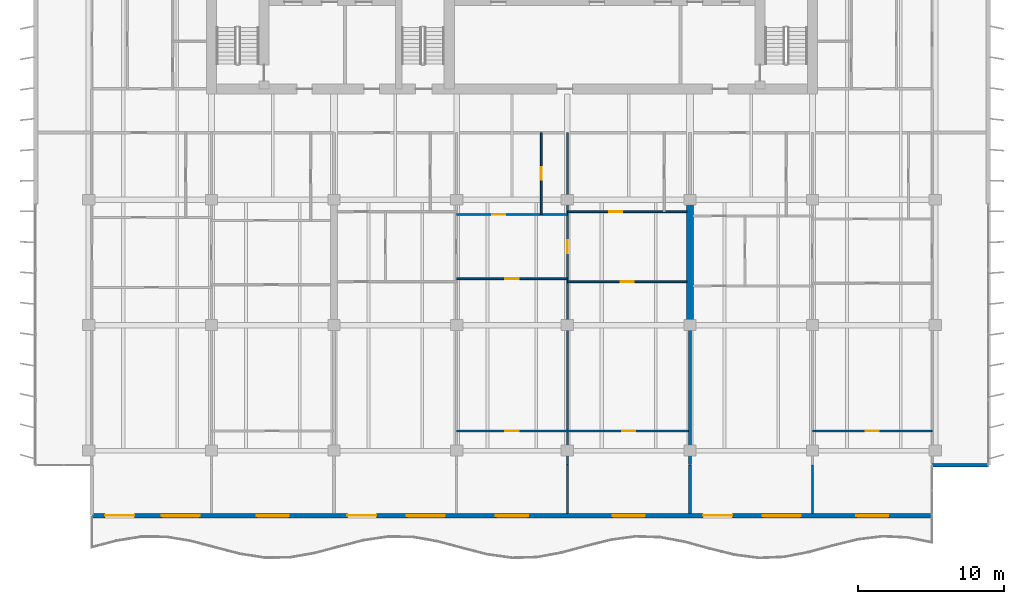
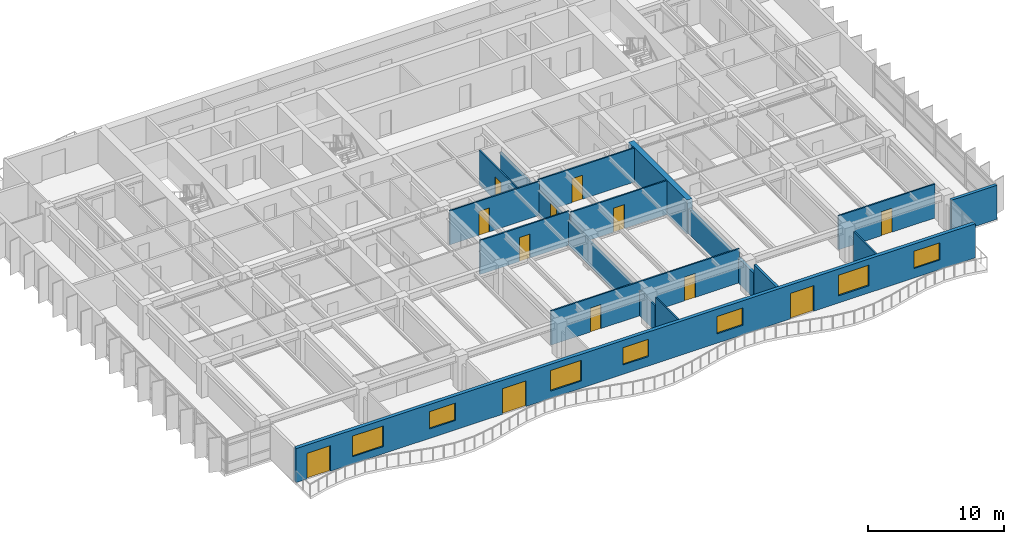
# One storey, part 9 of 17: 15 walls, 12 doors, 7 windows, 19 openings.
"""IFC4 building model written with IfcOpenShell, lengths in metres."""

from ifc_helpers import new_model, si_unit, direction, frame, frame_2d, origin, place, context, subcontext, project, spatial, rectangle, extrude, material, layer, layer_set, type_object, element, fill, save


model = new_model("IFC4")

# Units and contexts
model_context = context("Model", 3, precision=1e-05, world=origin(), true_north=direction((0.0, 1.0)))
body_context = subcontext(model_context, "Body", "Model", "MODEL_VIEW")
ifc_project = project(units=[si_unit("LENGTHUNIT", "METRE"), si_unit("AREAUNIT", "SQUARE_METRE"), si_unit("VOLUMEUNIT", "CUBIC_METRE"), si_unit("PLANEANGLEUNIT", "RADIAN"), si_unit("MASSUNIT", "GRAM", prefix="KILO")], contexts=[model_context])

# Site, building, storey
site_placement = place(None, origin())
site = spatial("IfcSite", under=ifc_project, at=site_placement, CompositionType="ELEMENT")
building_placement = place(site_placement, origin())
building = spatial("IfcBuilding", under=site, at=building_placement, Name="Caelmar Bay Residences", CompositionType="ELEMENT")
storey_placement = place(building_placement, frame((0.0, 0.0, 208.199951171875)))
storey = spatial("IfcBuildingStorey", under=building, at=storey_placement, Name="L58", CompositionType="ELEMENT", Elevation=208.199951171875)

# Walls
ifc_material_1 = material(Name="Concrete f'c 55 MPa (8,000 psi)", Category="concrete")
ifc_layer_1 = layer(ifc_material_1, 0.449951171875)
ifc_layer_set_1 = layer_set([ifc_layer_1], Name="Concrete f'c 55 MPa (8,000 psi)")
wall_type_1 = type_object("IfcWallType", Name="SW-XSLB-450", PredefinedType="SHEAR", material=ifc_layer_set_1)
wall_1_placement = place(storey_placement, frame((51.10009765625, 20.800048828125, 0.0), z_axis=(0.0, 0.0, 1.0), x_axis=(0.0, 1.0, 0.0)))
element("IfcWall", 1, at=wall_1_placement, inside=storey, type_object=wall_type_1, Name="L58 Transverse Cross-Slab Shear Wall E8", PredefinedType="SHEAR", context=body_context, shape_type="SweptSolid", body=[
    extrude(rectangle(XDim=8.599853515625, YDim=0.449951171875, at=frame_2d((4.2998046875, 0.0))), origin(), (0.0, 0.0, 1.0), 3.050048828125),
])
ifc_material_2 = material(Name="Precast concrete f'c 40 MPa (6,000 psi)", Category="concrete")
ifc_layer_2 = layer(ifc_material_2, 0.25)
ifc_layer_set_2 = layer_set([ifc_layer_2], Name="Precast concrete f'c 40 MPa (6,000 psi)")
wall_type_2 = type_object("IfcWallType", Name="W-EXT-250", PredefinedType="ELEMENTEDWALL", material=ifc_layer_set_2)
wall_2_placement = place(storey_placement, frame((67.699951171875, 11.199951171875, 0.0), z_axis=(0.0, 0.0, 1.0), x_axis=(1.0, 0.0, 0.0)))
element("IfcWall", 2, at=wall_2_placement, inside=storey, type_object=wall_type_2, Name="L58 SE Notch Return Wall", PredefinedType="ELEMENTEDWALL", context=body_context, shape_type="SweptSolid", body=[
    extrude(rectangle(XDim=3.85009765625, YDim=0.25, at=frame_2d((1.925048828125, 0.0))), origin(), (0.0, 0.0, 1.0), 3.050048828125),
])

# Wall, openings, doors, windows
ifc_layer_3 = layer(ifc_material_2, 0.300048828125)
ifc_layer_set_3 = layer_set([ifc_layer_3], Name="Precast concrete f'c 40 MPa (6,000 psi)")
wall_type_3 = type_object("IfcWallType", Name="W-EXT-300", PredefinedType="STANDARD", material=ifc_layer_set_3)
wall_3_placement = place(storey_placement, frame((67.699951171875, 7.75, 0.0), z_axis=(0.0, 0.0, 1.0), x_axis=(-1.0, 0.0, 0.0)))
wall_3 = element("IfcWall", 3, at=wall_3_placement, inside=storey, type_object=wall_type_3, Name="L58 South Bayfront Exterior Wall", PredefinedType="STANDARD", context=body_context, shape_type="SweptSolid", body=[
    extrude(rectangle(XDim=57.599853515625, YDim=0.300048828125, at=frame_2d((28.7998046875, 0.0))), origin(), (0.0, 0.0, 1.0), 3.050048828125),
])
opening_1_placement = place(wall_3_placement, frame((54.68994140625, 0.0, 0.0)))
opening_1 = element("IfcOpeningElement", 4, at=opening_1_placement, cuts=wall_3, Name="Opening L58-BD01", PredefinedType="OPENING", context=body_context, shape_type="SweptSolid", body=[
    extrude(rectangle(XDim=2.0, YDim=2.300048828125, at=frame_2d((1.0, 1.14990234375))), frame((0.0, 0.159912109375, 0.0), z_axis=(0.0, -1.0, 0.0), x_axis=(1.0, 0.0, 0.0)), (0.0, 0.0, 1.0), 0.320068359375),
])
opening_2_placement = place(wall_3_placement, frame((50.2099609375, 0.0, 0.64990234375)))
opening_2 = element("IfcOpeningElement", 5, at=opening_2_placement, cuts=wall_3, Name="Opening WN3", PredefinedType="OPENING", context=body_context, shape_type="SweptSolid", body=[
    extrude(rectangle(XDim=2.60009765625, YDim=1.85009765625, at=frame_2d((1.300048828125, 0.925048828125))), frame((0.0, 0.159912109375, 0.0), z_axis=(0.0, -1.0, 0.0), x_axis=(1.0, 0.0, 0.0)), (0.0, 0.0, 1.0), 0.320068359375),
])
opening_3_placement = place(wall_3_placement, frame((44.10009765625, 0.0, 0.85009765625)))
opening_3 = element("IfcOpeningElement", 6, at=opening_3_placement, cuts=wall_3, Name="Opening WN2", PredefinedType="OPENING", context=body_context, shape_type="SweptSolid", body=[
    extrude(rectangle(XDim=2.199951171875, YDim=1.550048828125, at=frame_2d((1.10009765625, 0.77490234375))), frame((0.0, 0.159912109375, 0.0), z_axis=(0.0, -1.0, 0.0), x_axis=(1.0, 0.0, 0.0)), (0.0, 0.0, 1.0), 0.320068359375),
])
opening_4_placement = place(wall_3_placement, frame((38.090087890625, 0.0, 0.0)))
opening_4 = element("IfcOpeningElement", 7, at=opening_4_placement, cuts=wall_3, Name="Opening L58-BD02", PredefinedType="OPENING", context=body_context, shape_type="SweptSolid", body=[
    extrude(rectangle(XDim=2.0, YDim=2.300048828125, at=frame_2d((1.0, 1.14990234375))), frame((0.0, 0.159912109375, 0.0), z_axis=(0.0, -1.0, 0.0), x_axis=(1.0, 0.0, 0.0)), (0.0, 0.0, 1.0), 0.320068359375),
])
opening_5_placement = place(wall_3_placement, frame((33.409912109375, 0.0, 0.64990234375)))
opening_5 = element("IfcOpeningElement", 8, at=opening_5_placement, cuts=wall_3, Name="Opening WN3", PredefinedType="OPENING", context=body_context, shape_type="SweptSolid", body=[
    extrude(rectangle(XDim=2.60009765625, YDim=1.85009765625, at=frame_2d((1.300048828125, 0.925048828125))), frame((0.0, 0.159912109375, 0.0), z_axis=(0.0, -1.0, 0.0), x_axis=(1.0, 0.0, 0.0)), (0.0, 0.0, 1.0), 0.320068359375),
])
opening_6_placement = place(wall_3_placement, frame((27.699951171875, 0.0, 0.85009765625)))
opening_6 = element("IfcOpeningElement", 9, at=opening_6_placement, cuts=wall_3, Name="Opening WN2", PredefinedType="OPENING", context=body_context, shape_type="SweptSolid", body=[
    extrude(rectangle(XDim=2.199951171875, YDim=1.550048828125, at=frame_2d((1.10009765625, 0.77490234375))), frame((0.0, 0.159912109375, 0.0), z_axis=(0.0, -1.0, 0.0), x_axis=(1.0, 0.0, 0.0)), (0.0, 0.0, 1.0), 0.320068359375),
])
opening_7_placement = place(wall_3_placement, frame((19.699951171875, 0.0, 0.85009765625)))
opening_7 = element("IfcOpeningElement", 10, at=opening_7_placement, cuts=wall_3, Name="Opening WN2", PredefinedType="OPENING", context=body_context, shape_type="SweptSolid", body=[
    extrude(rectangle(XDim=2.199951171875, YDim=1.550048828125, at=frame_2d((1.10009765625, 0.77490234375))), frame((0.0, 0.159912109375, 0.0), z_axis=(0.0, -1.0, 0.0), x_axis=(1.0, 0.0, 0.0)), (0.0, 0.0, 1.0), 0.320068359375),
])
opening_8_placement = place(wall_3_placement, frame((13.68994140625, 0.0, 0.0)))
opening_8 = element("IfcOpeningElement", 11, at=opening_8_placement, cuts=wall_3, Name="Opening L58-BD03", PredefinedType="OPENING", context=body_context, shape_type="SweptSolid", body=[
    extrude(rectangle(XDim=2.0, YDim=2.300048828125, at=frame_2d((1.0, 1.14990234375))), frame((0.0, 0.159912109375, 0.0), z_axis=(0.0, -1.0, 0.0), x_axis=(1.0, 0.0, 0.0)), (0.0, 0.0, 1.0), 0.320068359375),
])
opening_9_placement = place(wall_3_placement, frame((9.010009765625, 0.0, 0.64990234375)))
opening_9 = element("IfcOpeningElement", 12, at=opening_9_placement, cuts=wall_3, Name="Opening WN3", PredefinedType="OPENING", context=body_context, shape_type="SweptSolid", body=[
    extrude(rectangle(XDim=2.60009765625, YDim=1.85009765625, at=frame_2d((1.300048828125, 0.925048828125))), frame((0.0, 0.159912109375, 0.0), z_axis=(0.0, -1.0, 0.0), x_axis=(1.0, 0.0, 0.0)), (0.0, 0.0, 1.0), 0.320068359375),
])
opening_10_placement = place(wall_3_placement, frame((3.0, 0.0, 0.85009765625)))
opening_10 = element("IfcOpeningElement", 13, at=opening_10_placement, cuts=wall_3, Name="Opening WN2", PredefinedType="OPENING", context=body_context, shape_type="SweptSolid", body=[
    extrude(rectangle(XDim=2.199951171875, YDim=1.550048828125, at=frame_2d((1.10009765625, 0.77490234375))), frame((0.0, 0.159912109375, 0.0), z_axis=(0.0, -1.0, 0.0), x_axis=(1.0, 0.0, 0.0)), (0.0, 0.0, 1.0), 0.320068359375),
])
ifc_material_3 = material(Name="Anodised bronze thermally broken sliding glass door", Category="glass")
ifc_layer_4 = layer(ifc_material_3, 0.050048828125)
ifc_layer_set_4 = layer_set([ifc_layer_4], Name="Anodised bronze thermally broken sliding glass door")
door_type_1 = type_object("IfcDoorType", Name="D-BAL-2000", OperationType="DOUBLE_DOOR_SLIDING", PredefinedType="DOOR", material=ifc_layer_set_4)
door_1_placement = place(opening_1_placement, origin())
door_1 = element("IfcDoor", 14, at=door_1_placement, inside=storey, type_object=door_type_1, Name="L58 Residence 01 Penthouse Living Salon Balcony Door", OperationType="DOUBLE_DOOR_SLIDING", OverallHeight=2.300048828125, OverallWidth=2.0, PredefinedType="DOOR", context=body_context, shape_type="SweptSolid", body=[
    extrude(rectangle(XDim=2.0, YDim=2.300048828125, at=frame_2d((1.0, 1.14990234375))), frame((0.0, 0.02490234375, 0.0), z_axis=(0.0, -1.0, 0.0), x_axis=(1.0, 0.0, 0.0)), (0.0, 0.0, 1.0), 0.050048828125),
])
fill(opening_1, door_1)
door_2_placement = place(opening_4_placement, origin())
door_2 = element("IfcDoor", 15, at=door_2_placement, inside=storey, type_object=door_type_1, Name="L58 Residence 02 Penthouse Living Salon Balcony Door", OperationType="DOUBLE_DOOR_SLIDING", OverallHeight=2.300048828125, OverallWidth=2.0, PredefinedType="DOOR", context=body_context, shape_type="SweptSolid", body=[
    extrude(rectangle(XDim=2.0, YDim=2.300048828125, at=frame_2d((1.0, 1.14990234375))), frame((0.0, 0.02490234375, 0.0), z_axis=(0.0, -1.0, 0.0), x_axis=(1.0, 0.0, 0.0)), (0.0, 0.0, 1.0), 0.050048828125),
])
fill(opening_4, door_2)
door_3_placement = place(opening_8_placement, origin())
door_3 = element("IfcDoor", 16, at=door_3_placement, inside=storey, type_object=door_type_1, Name="L58 Residence 03 Penthouse Living Salon Balcony Door", OperationType="DOUBLE_DOOR_SLIDING", OverallHeight=2.300048828125, OverallWidth=2.0, PredefinedType="DOOR", context=body_context, shape_type="SweptSolid", body=[
    extrude(rectangle(XDim=2.0, YDim=2.300048828125, at=frame_2d((1.0, 1.14990234375))), frame((0.0, 0.02490234375, 0.0), z_axis=(0.0, -1.0, 0.0), x_axis=(1.0, 0.0, 0.0)), (0.0, 0.0, 1.0), 0.050048828125),
])
fill(opening_8, door_3)
ifc_material_4 = material(Name="Bronze aluminium frame with laminated low-E glass", Category="aluminium")
ifc_layer_5 = layer(ifc_material_4, 0.06005859375)
ifc_layer_set_5 = layer_set([ifc_layer_5], Name="Bronze aluminium frame with laminated low-E glass")
window_type_1 = type_object("IfcWindowType", Name="WIN-BR-2200", PartitioningType="SINGLE_PANEL", PredefinedType="WINDOW", material=ifc_layer_set_5)
window_1_placement = place(opening_3_placement, origin())
window_1 = element("IfcWindow", 17, at=window_1_placement, inside=storey, type_object=window_type_1, Name="L58 Residence 01 Primary Bedroom 1 Window", OverallHeight=1.550048828125, OverallWidth=2.199951171875, PartitioningType="SINGLE_PANEL", PredefinedType="WINDOW", context=body_context, shape_type="SweptSolid", body=[
    extrude(rectangle(XDim=2.199951171875, YDim=1.550048828125, at=frame_2d((1.10009765625, 0.77490234375))), frame((0.0, 0.030029296875, 0.0), z_axis=(0.0, -1.0, 0.0), x_axis=(1.0, 0.0, 0.0)), (0.0, 0.0, 1.0), 0.06005859375),
])
fill(opening_3, window_1)
window_2_placement = place(opening_6_placement, origin())
window_2 = element("IfcWindow", 18, at=window_2_placement, inside=storey, type_object=window_type_1, Name="L58 Residence 02 Primary Bedroom 1 Window", OverallHeight=1.550048828125, OverallWidth=2.199951171875, PartitioningType="SINGLE_PANEL", PredefinedType="WINDOW", context=body_context, shape_type="SweptSolid", body=[
    extrude(rectangle(XDim=2.199951171875, YDim=1.550048828125, at=frame_2d((1.10009765625, 0.77490234375))), frame((0.0, 0.030029296875, 0.0), z_axis=(0.0, -1.0, 0.0), x_axis=(1.0, 0.0, 0.0)), (0.0, 0.0, 1.0), 0.06005859375),
])
fill(opening_6, window_2)
window_3_placement = place(opening_7_placement, origin())
window_3 = element("IfcWindow", 19, at=window_3_placement, inside=storey, type_object=window_type_1, Name="L58 Residence 02 Primary Bedroom 2 Window", OverallHeight=1.550048828125, OverallWidth=2.199951171875, PartitioningType="SINGLE_PANEL", PredefinedType="WINDOW", context=body_context, shape_type="SweptSolid", body=[
    extrude(rectangle(XDim=2.199951171875, YDim=1.550048828125, at=frame_2d((1.10009765625, 0.77490234375))), frame((0.0, 0.030029296875, 0.0), z_axis=(0.0, -1.0, 0.0), x_axis=(1.0, 0.0, 0.0)), (0.0, 0.0, 1.0), 0.06005859375),
])
fill(opening_7, window_3)
window_4_placement = place(opening_10_placement, origin())
window_4 = element("IfcWindow", 20, at=window_4_placement, inside=storey, type_object=window_type_1, Name="L58 Residence 03 Primary Bedroom 1 Window", OverallHeight=1.550048828125, OverallWidth=2.199951171875, PartitioningType="SINGLE_PANEL", PredefinedType="WINDOW", context=body_context, shape_type="SweptSolid", body=[
    extrude(rectangle(XDim=2.199951171875, YDim=1.550048828125, at=frame_2d((1.10009765625, 0.77490234375))), frame((0.0, 0.030029296875, 0.0), z_axis=(0.0, -1.0, 0.0), x_axis=(1.0, 0.0, 0.0)), (0.0, 0.0, 1.0), 0.06005859375),
])
fill(opening_10, window_4)
ifc_layer_6 = layer(ifc_material_4, 0.06005859375)
ifc_layer_set_6 = layer_set([ifc_layer_6], Name="Bronze aluminium frame with laminated low-E glass")
window_type_2 = type_object("IfcWindowType", Name="WIN-LIV-2600", PartitioningType="SINGLE_PANEL", PredefinedType="WINDOW", material=ifc_layer_set_6)
window_5_placement = place(opening_2_placement, origin())
window_5 = element("IfcWindow", 21, at=window_5_placement, inside=storey, type_object=window_type_2, Name="L58 Residence 01 Penthouse Living Salon Panoramic Window", OverallHeight=1.85009765625, OverallWidth=2.60009765625, PartitioningType="SINGLE_PANEL", PredefinedType="WINDOW", context=body_context, shape_type="SweptSolid", body=[
    extrude(rectangle(XDim=2.60009765625, YDim=1.85009765625, at=frame_2d((1.300048828125, 0.925048828125))), frame((0.0, 0.030029296875, 0.0), z_axis=(0.0, -1.0, 0.0), x_axis=(1.0, 0.0, 0.0)), (0.0, 0.0, 1.0), 0.06005859375),
])
fill(opening_2, window_5)
window_6_placement = place(opening_5_placement, origin())
window_6 = element("IfcWindow", 22, at=window_6_placement, inside=storey, type_object=window_type_2, Name="L58 Residence 02 Penthouse Living Salon Panoramic Window", OverallHeight=1.85009765625, OverallWidth=2.60009765625, PartitioningType="SINGLE_PANEL", PredefinedType="WINDOW", context=body_context, shape_type="SweptSolid", body=[
    extrude(rectangle(XDim=2.60009765625, YDim=1.85009765625, at=frame_2d((1.300048828125, 0.925048828125))), frame((0.0, 0.030029296875, 0.0), z_axis=(0.0, -1.0, 0.0), x_axis=(1.0, 0.0, 0.0)), (0.0, 0.0, 1.0), 0.06005859375),
])
fill(opening_5, window_6)
window_7_placement = place(opening_9_placement, origin())
window_7 = element("IfcWindow", 23, at=window_7_placement, inside=storey, type_object=window_type_2, Name="L58 Residence 03 Penthouse Living Salon Panoramic Window", OverallHeight=1.85009765625, OverallWidth=2.60009765625, PartitioningType="SINGLE_PANEL", PredefinedType="WINDOW", context=body_context, shape_type="SweptSolid", body=[
    extrude(rectangle(XDim=2.60009765625, YDim=1.85009765625, at=frame_2d((1.300048828125, 0.925048828125))), frame((0.0, 0.030029296875, 0.0), z_axis=(0.0, -1.0, 0.0), x_axis=(1.0, 0.0, 0.0)), (0.0, 0.0, 1.0), 0.06005859375),
])
fill(opening_9, window_7)

# Wall, opening, door
ifc_material_5 = material(Name="Acoustic metal-stud gypsum partition 120 mm")
ifc_layer_7 = layer(ifc_material_5, 0.1201171875)
ifc_layer_set_7 = layer_set([ifc_layer_7], Name="Acoustic metal-stud gypsum partition 120 mm")
wall_type_4 = type_object("IfcWallType", Name="W-PRT-120", PredefinedType="PARTITIONING", material=ifc_layer_set_7)
wall_4_placement = place(storey_placement, frame((40.903076171875, 28.3798828125, 0.0), z_axis=(0.0, 0.0, 1.0), x_axis=(0.0, 1.0, 0.0)))
wall_4 = element("IfcWall", 24, at=wall_4_placement, inside=storey, type_object=wall_type_4, Name="L58 Partition Wall V025", PredefinedType="PARTITIONING", context=body_context, shape_type="SweptSolid", body=[
    extrude(rectangle(XDim=5.6201171875, YDim=0.1201171875, at=frame_2d((2.81005859375, 0.0))), origin(), (0.0, 0.0, 1.0), 3.050048828125),
])
opening_11_placement = place(wall_4_placement, frame((2.385009765625, 0.0, 0.0)))
opening_11 = element("IfcOpeningElement", 25, at=opening_11_placement, cuts=wall_4, Name="Opening D-L58-140", PredefinedType="OPENING", context=body_context, shape_type="SweptSolid", body=[
    extrude(rectangle(XDim=0.85009765625, YDim=2.10009765625, at=frame_2d((0.425048828125, 1.050048828125))), frame((0.0, 0.070068359375, 0.0), z_axis=(0.0, -1.0, 0.0), x_axis=(1.0, 0.0, 0.0)), (0.0, 0.0, 1.0), 0.14013671875),
])
ifc_material_6 = material(Name="Solid walnut timber interior door leaf and frame", Category="wood")
ifc_layer_8 = layer(ifc_material_6, 0.050048828125)
ifc_layer_set_8 = layer_set([ifc_layer_8], Name="Solid walnut timber interior door leaf and frame")
door_type_2 = type_object("IfcDoorType", Name="D-BATH-850", OperationType="NOTDEFINED", PredefinedType="DOOR", material=ifc_layer_set_8)
door_4_placement = place(opening_11_placement, origin())
door_4 = element("IfcDoor", 26, at=door_4_placement, inside=storey, type_object=door_type_2, Name="L58 Residence 02 En-Suite Bathroom 1 Door", OperationType="SINGLE_SWING_LEFT", OverallHeight=2.10009765625, OverallWidth=0.85009765625, PredefinedType="DOOR", context=body_context, shape_type="SweptSolid", body=[
    extrude(rectangle(XDim=0.85009765625, YDim=2.10009765625, at=frame_2d((0.425048828125, 1.050048828125))), frame((0.0, 0.02490234375, 0.0), z_axis=(0.0, -1.0, 0.0), x_axis=(1.0, 0.0, 0.0)), (0.0, 0.0, 1.0), 0.050048828125),
])
fill(opening_11, door_4)

# Wall
wall_5_placement = place(storey_placement, frame((42.699951171875, 7.89501953125, 0.0), z_axis=(0.0, 0.0, 1.0), x_axis=(0.0, 1.0, 0.0)))
element("IfcWall", 27, at=wall_5_placement, inside=storey, type_object=wall_type_4, Name="L58 Partition Wall V027", PredefinedType="PARTITIONING", context=body_context, shape_type="SweptSolid", body=[
    extrude(rectangle(XDim=3.304931640625, YDim=0.1201171875, at=frame_2d((1.65234375, 0.0))), origin(), (0.0, 0.0, 1.0), 3.050048828125),
])

# Wall, opening, door
wall_6_placement = place(storey_placement, frame((42.699951171875, 11.239990234375, 0.0), z_axis=(0.0, 0.0, 1.0), x_axis=(0.0, 1.0, 0.0)))
wall_6 = element("IfcWall", 28, at=wall_6_placement, inside=storey, type_object=wall_type_4, Name="L58 Partition Wall V028", PredefinedType="PARTITIONING", context=body_context, shape_type="SweptSolid", body=[
    extrude(rectangle(XDim=22.760009765625, YDim=0.1201171875, at=frame_2d((11.3798828125, 0.0))), origin(), (0.0, 0.0, 1.0), 2.262939453125),
])
opening_12_placement = place(wall_6_placement, frame((14.489990234375, 0.0, 0.0)))
opening_12 = element("IfcOpeningElement", 29, at=opening_12_placement, cuts=wall_6, Name="Opening D-L58-143", PredefinedType="OPENING", context=body_context, shape_type="SweptSolid", body=[
    extrude(rectangle(XDim=0.89990234375, YDim=2.14990234375, at=frame_2d((0.449951171875, 1.074951171875))), frame((0.0, 0.070068359375, 0.0), z_axis=(0.0, -1.0, 0.0), x_axis=(1.0, 0.0, 0.0)), (0.0, 0.0, 1.0), 0.14013671875),
])
ifc_layer_9 = layer(ifc_material_6, 0.050048828125)
ifc_layer_set_9 = layer_set([ifc_layer_9], Name="Solid walnut timber interior door leaf and frame")
door_type_3 = type_object("IfcDoorType", Name="D-ROOM-900", OperationType="NOTDEFINED", PredefinedType="DOOR", material=ifc_layer_set_9)
door_5_placement = place(opening_12_placement, origin())
door_5 = element("IfcDoor", 30, at=door_5_placement, inside=storey, type_object=door_type_3, Name="L58 Residence 02 Reception Lounge 2 Door", OperationType="SINGLE_SWING_RIGHT", OverallHeight=2.14990234375, OverallWidth=0.89990234375, PredefinedType="DOOR", context=body_context, shape_type="SweptSolid", body=[
    extrude(rectangle(XDim=0.89990234375, YDim=2.14990234375, at=frame_2d((0.449951171875, 1.074951171875))), frame((0.0, 0.02490234375, 0.0), z_axis=(0.0, -1.0, 0.0), x_axis=(1.0, 0.0, 0.0)), (0.0, 0.0, 1.0), 0.050048828125),
])
fill(opening_12, door_5)

# Wall
wall_7_placement = place(storey_placement, frame((59.5, 7.89501953125, 0.0), z_axis=(0.0, 0.0, 1.0), x_axis=(0.0, 1.0, 0.0)))
element("IfcWall", 31, at=wall_7_placement, inside=storey, type_object=wall_type_4, Name="L58 Partition Wall V042", PredefinedType="PARTITIONING", context=body_context, shape_type="SweptSolid", body=[
    extrude(rectangle(XDim=3.304931640625, YDim=0.1201171875, at=frame_2d((1.65234375, 0.0))), origin(), (0.0, 0.0, 1.0), 3.050048828125),
])

# Wall, openings, doors
wall_8_placement = place(storey_placement, frame((35.10009765625, 13.550048828125, 0.0), z_axis=(0.0, 0.0, 1.0), x_axis=(1.0, 0.0, 0.0)))
wall_8 = element("IfcWall", 32, at=wall_8_placement, inside=storey, type_object=wall_type_4, Name="L58 Partition Wall H052", PredefinedType="PARTITIONING", context=body_context, shape_type="SweptSolid", body=[
    extrude(rectangle(XDim=16.0, YDim=0.1201171875, at=frame_2d((8.0, 0.0))), origin(), (0.0, 0.0, 1.0), 3.050048828125),
])
opening_13_placement = place(wall_8_placement, frame((3.35009765625, 0.0, 0.0)))
opening_13 = element("IfcOpeningElement", 33, at=opening_13_placement, cuts=wall_8, Name="Opening D-L58-142", PredefinedType="OPENING", context=body_context, shape_type="SweptSolid", body=[
    extrude(rectangle(XDim=0.89990234375, YDim=2.14990234375, at=frame_2d((0.449951171875, 1.074951171875))), frame((0.0, 0.070068359375, 0.0), z_axis=(0.0, -1.0, 0.0), x_axis=(1.0, 0.0, 0.0)), (0.0, 0.0, 1.0), 0.14013671875),
])
opening_14_placement = place(wall_8_placement, frame((11.35009765625, 0.0, 0.0)))
opening_14 = element("IfcOpeningElement", 34, at=opening_14_placement, cuts=wall_8, Name="Opening D-L58-147", PredefinedType="OPENING", context=body_context, shape_type="SweptSolid", body=[
    extrude(rectangle(XDim=0.89990234375, YDim=2.14990234375, at=frame_2d((0.449951171875, 1.074951171875))), frame((0.0, 0.070068359375, 0.0), z_axis=(0.0, -1.0, 0.0), x_axis=(1.0, 0.0, 0.0)), (0.0, 0.0, 1.0), 0.14013671875),
])
door_6_placement = place(opening_13_placement, origin())
door_6 = element("IfcDoor", 35, at=door_6_placement, inside=storey, type_object=door_type_3, Name="L58 Residence 02 Primary Bedroom 1 Door", OperationType="SINGLE_SWING_LEFT", OverallHeight=2.14990234375, OverallWidth=0.89990234375, PredefinedType="DOOR", context=body_context, shape_type="SweptSolid", body=[
    extrude(rectangle(XDim=0.89990234375, YDim=2.14990234375, at=frame_2d((0.449951171875, 1.074951171875))), frame((0.0, 0.02490234375, 0.0), z_axis=(0.0, -1.0, 0.0), x_axis=(1.0, 0.0, 0.0)), (0.0, 0.0, 1.0), 0.050048828125),
])
fill(opening_13, door_6)
door_7_placement = place(opening_14_placement, origin())
door_7 = element("IfcDoor", 36, at=door_7_placement, inside=storey, type_object=door_type_3, Name="L58 Residence 02 Primary Bedroom 2 Door", OperationType="SINGLE_SWING_RIGHT", OverallHeight=2.14990234375, OverallWidth=0.89990234375, PredefinedType="DOOR", context=body_context, shape_type="SweptSolid", body=[
    extrude(rectangle(XDim=0.89990234375, YDim=2.14990234375, at=frame_2d((0.449951171875, 1.074951171875))), frame((0.0, 0.02490234375, 0.0), z_axis=(0.0, -1.0, 0.0), x_axis=(1.0, 0.0, 0.0)), (0.0, 0.0, 1.0), 0.050048828125),
])
fill(opening_14, door_7)

# Wall, opening, door
wall_9_placement = place(storey_placement, frame((59.5, 13.550048828125, 0.0), z_axis=(0.0, 0.0, 1.0), x_axis=(1.0, 0.0, 0.0)))
wall_9 = element("IfcWall", 37, at=wall_9_placement, inside=storey, type_object=wall_type_4, Name="L58 Partition Wall H053", PredefinedType="PARTITIONING", context=body_context, shape_type="SweptSolid", body=[
    extrude(rectangle(XDim=8.199951171875, YDim=0.1201171875, at=frame_2d((4.10009765625, 0.0))), origin(), (0.0, 0.0, 1.0), 3.050048828125),
])
opening_15_placement = place(wall_9_placement, frame((3.64990234375, 0.0, 0.0)))
opening_15 = element("IfcOpeningElement", 38, at=opening_15_placement, cuts=wall_9, Name="Opening D-L58-157", PredefinedType="OPENING", context=body_context, shape_type="SweptSolid", body=[
    extrude(rectangle(XDim=0.89990234375, YDim=2.14990234375, at=frame_2d((0.449951171875, 1.074951171875))), frame((0.0, 0.070068359375, 0.0), z_axis=(0.0, -1.0, 0.0), x_axis=(1.0, 0.0, 0.0)), (0.0, 0.0, 1.0), 0.14013671875),
])
door_8_placement = place(opening_15_placement, origin())
door_8 = element("IfcDoor", 39, at=door_8_placement, inside=storey, type_object=door_type_3, Name="L58 Residence 03 Primary Bedroom 1 Door", OperationType="SINGLE_SWING_RIGHT", OverallHeight=2.14990234375, OverallWidth=0.89990234375, PredefinedType="DOOR", context=body_context, shape_type="SweptSolid", body=[
    extrude(rectangle(XDim=0.89990234375, YDim=2.14990234375, at=frame_2d((0.449951171875, 1.074951171875))), frame((0.0, 0.02490234375, 0.0), z_axis=(0.0, -1.0, 0.0), x_axis=(1.0, 0.0, 0.0)), (0.0, 0.0, 1.0), 0.050048828125),
])
fill(opening_15, door_8)

wall_10_placement = place(storey_placement, frame((42.699951171875, 23.780029296875, 0.0), z_axis=(0.0, 0.0, 1.0), x_axis=(1.0, 0.0, 0.0)))
wall_10 = element("IfcWall", 40, at=wall_10_placement, inside=storey, type_object=wall_type_4, Name="L58 Partition Wall H059", PredefinedType="PARTITIONING", context=body_context, shape_type="SweptSolid", body=[
    extrude(rectangle(XDim=8.179931640625, YDim=0.1201171875, at=frame_2d((4.08984375, 0.0))), origin(), (0.0, 0.0, 1.0), 3.050048828125),
])
opening_16_placement = place(wall_10_placement, frame((3.639892578125, 0.0, 0.0)))
opening_16 = element("IfcOpeningElement", 41, at=opening_16_placement, cuts=wall_10, Name="Opening D-L58-146", PredefinedType="OPENING", context=body_context, shape_type="SweptSolid", body=[
    extrude(rectangle(XDim=0.89990234375, YDim=2.14990234375, at=frame_2d((0.449951171875, 1.074951171875))), frame((0.0, 0.070068359375, 0.0), z_axis=(0.0, -1.0, 0.0), x_axis=(1.0, 0.0, 0.0)), (0.0, 0.0, 1.0), 0.14013671875),
])
door_9_placement = place(opening_16_placement, origin())
door_9 = element("IfcDoor", 42, at=door_9_placement, inside=storey, type_object=door_type_3, Name="L58 Residence 02 Penthouse Sitting Salon 2 Door", OperationType="SINGLE_SWING_LEFT", OverallHeight=2.14990234375, OverallWidth=0.89990234375, PredefinedType="DOOR", context=body_context, shape_type="SweptSolid", body=[
    extrude(rectangle(XDim=0.89990234375, YDim=2.14990234375, at=frame_2d((0.449951171875, 1.074951171875))), frame((0.0, 0.02490234375, 0.0), z_axis=(0.0, -1.0, 0.0), x_axis=(1.0, 0.0, 0.0)), (0.0, 0.0, 1.0), 0.050048828125),
])
fill(opening_16, door_9)

wall_11_placement = place(storey_placement, frame((35.10498046875, 23.97998046875, 0.0), z_axis=(0.0, 0.0, 1.0), x_axis=(1.0, 0.0, 0.0)))
wall_11 = element("IfcWall", 43, at=wall_11_placement, inside=storey, type_object=wall_type_4, Name="L58 Partition Wall H060", PredefinedType="PARTITIONING", context=body_context, shape_type="SweptSolid", body=[
    extrude(rectangle(XDim=7.590087890625, YDim=0.1201171875, at=frame_2d((3.794921875, 0.0))), origin(), (0.0, 0.0, 1.0), 3.050048828125),
])
opening_17_placement = place(wall_11_placement, frame((3.344970703125, 0.0, 0.0)))
opening_17 = element("IfcOpeningElement", 44, at=opening_17_placement, cuts=wall_11, Name="Opening D-L58-141", PredefinedType="OPENING", context=body_context, shape_type="SweptSolid", body=[
    extrude(rectangle(XDim=0.89990234375, YDim=2.14990234375, at=frame_2d((0.449951171875, 1.074951171875))), frame((0.0, 0.070068359375, 0.0), z_axis=(0.0, -1.0, 0.0), x_axis=(1.0, 0.0, 0.0)), (0.0, 0.0, 1.0), 0.14013671875),
])
door_10_placement = place(opening_17_placement, origin())
door_10 = element("IfcDoor", 45, at=door_10_placement, inside=storey, type_object=door_type_3, Name="L58 Residence 02 Penthouse Sitting Salon 1 Door", OperationType="SINGLE_SWING_RIGHT", OverallHeight=2.14990234375, OverallWidth=0.89990234375, PredefinedType="DOOR", context=body_context, shape_type="SweptSolid", body=[
    extrude(rectangle(XDim=0.89990234375, YDim=2.14990234375, at=frame_2d((0.449951171875, 1.074951171875))), frame((0.0, 0.02490234375, 0.0), z_axis=(0.0, -1.0, 0.0), x_axis=(1.0, 0.0, 0.0)), (0.0, 0.0, 1.0), 0.050048828125),
])
fill(opening_17, door_10)

wall_12_placement = place(storey_placement, frame((35.10009765625, 28.3798828125, 0.0), z_axis=(0.0, 0.0, 1.0), x_axis=(1.0, 0.0, 0.0)))
wall_12 = element("IfcWall", 46, at=wall_12_placement, inside=storey, type_object=wall_type_4, Name="L58 Partition Wall H065", PredefinedType="PARTITIONING", context=body_context, shape_type="SweptSolid", body=[
    extrude(rectangle(XDim=7.599853515625, YDim=0.1201171875, at=frame_2d((3.7998046875, 0.0))), origin(), (0.0, 0.0, 1.0), 3.050048828125),
])
opening_18_placement = place(wall_12_placement, frame((2.451416015625, 0.0, 0.0)))
opening_18 = element("IfcOpeningElement", 47, at=opening_18_placement, cuts=wall_12, Name="Opening D-L58-139", PredefinedType="OPENING", context=body_context, shape_type="SweptSolid", body=[
    extrude(rectangle(XDim=0.89990234375, YDim=2.14990234375, at=frame_2d((0.449951171875, 1.074951171875))), frame((0.0, 0.070068359375, 0.0), z_axis=(0.0, -1.0, 0.0), x_axis=(1.0, 0.0, 0.0)), (0.0, 0.0, 1.0), 0.14013671875),
])
door_11_placement = place(opening_18_placement, origin())
door_11 = element("IfcDoor", 48, at=door_11_placement, inside=storey, type_object=door_type_3, Name="L58 Residence 02 Private Reception Room 1 Door", OperationType="SINGLE_SWING_RIGHT", OverallHeight=2.14990234375, OverallWidth=0.89990234375, PredefinedType="DOOR", context=body_context, shape_type="SweptSolid", body=[
    extrude(rectangle(XDim=0.89990234375, YDim=2.14990234375, at=frame_2d((0.449951171875, 1.074951171875))), frame((0.0, 0.02490234375, 0.0), z_axis=(0.0, -1.0, 0.0), x_axis=(1.0, 0.0, 0.0)), (0.0, 0.0, 1.0), 0.050048828125),
])
fill(opening_18, door_11)

wall_13_placement = place(storey_placement, frame((42.705078125, 28.580078125, 0.0), z_axis=(0.0, 0.0, 1.0), x_axis=(1.0, 0.0, 0.0)))
wall_13 = element("IfcWall", 49, at=wall_13_placement, inside=storey, type_object=wall_type_4, Name="L58 Partition Wall H067", PredefinedType="PARTITIONING", context=body_context, shape_type="SweptSolid", body=[
    extrude(rectangle(XDim=8.1748046875, YDim=0.1201171875, at=frame_2d((4.08740234375, 0.0))), origin(), (0.0, 0.0, 1.0), 3.050048828125),
])
opening_19_placement = place(wall_13_placement, frame((2.862060546875, 0.0, 0.0)))
opening_19 = element("IfcOpeningElement", 50, at=opening_19_placement, cuts=wall_13, Name="Opening D-L58-144", PredefinedType="OPENING", context=body_context, shape_type="SweptSolid", body=[
    extrude(rectangle(XDim=0.89990234375, YDim=2.14990234375, at=frame_2d((0.449951171875, 1.074951171875))), frame((0.0, 0.070068359375, 0.0), z_axis=(0.0, -1.0, 0.0), x_axis=(1.0, 0.0, 0.0)), (0.0, 0.0, 1.0), 0.14013671875),
])
door_12_placement = place(opening_19_placement, origin())
door_12 = element("IfcDoor", 51, at=door_12_placement, inside=storey, type_object=door_type_3, Name="L58 Residence 02 Private Reception Room 2 Door", OperationType="SINGLE_SWING_LEFT", OverallHeight=2.14990234375, OverallWidth=0.89990234375, PredefinedType="DOOR", context=body_context, shape_type="SweptSolid", body=[
    extrude(rectangle(XDim=0.89990234375, YDim=2.14990234375, at=frame_2d((0.449951171875, 1.074951171875))), frame((0.0, 0.02490234375, 0.0), z_axis=(0.0, -1.0, 0.0), x_axis=(1.0, 0.0, 0.0)), (0.0, 0.0, 1.0), 0.050048828125),
])
fill(opening_19, door_12)

# Walls
ifc_material_7 = material(Name="Acoustic twin-stud fire-rated inter-tenancy partition 200 mm")
ifc_layer_10 = layer(ifc_material_7, 0.199951171875)
ifc_layer_set_10 = layer_set([ifc_layer_10], Name="Acoustic twin-stud fire-rated inter-tenancy partition 200 mm")
wall_type_5 = type_object("IfcWallType", Name="W-PTY-200", PredefinedType="PARTITIONING", material=ifc_layer_set_10)
wall_14_placement = place(storey_placement, frame((51.10009765625, 7.89501953125, 0.0), z_axis=(0.0, 0.0, 1.0), x_axis=(0.0, 1.0, 0.0)))
element("IfcWall", 52, at=wall_14_placement, inside=storey, type_object=wall_type_5, Name="L58 Partition Wall V034", PredefinedType="PARTITIONING", context=body_context, shape_type="SweptSolid", body=[
    extrude(rectangle(XDim=3.304931640625, YDim=0.199951171875, at=frame_2d((1.65234375, 0.0))), origin(), (0.0, 0.0, 1.0), 3.050048828125),
])
wall_15_placement = place(storey_placement, frame((51.10009765625, 11.239990234375, 0.0), z_axis=(0.0, 0.0, 1.0), x_axis=(0.0, 1.0, 0.0)))
element("IfcWall", 53, at=wall_15_placement, inside=storey, type_object=wall_type_5, Name="L58 Partition Wall V035", PredefinedType="PARTITIONING", context=body_context, shape_type="SweptSolid", body=[
    extrude(rectangle(XDim=9.554931640625, YDim=0.199951171875, at=frame_2d((4.77734375, 0.0))), origin(), (0.0, 0.0, 1.0), 2.262939453125),
])

save(model, "model.ifc")
